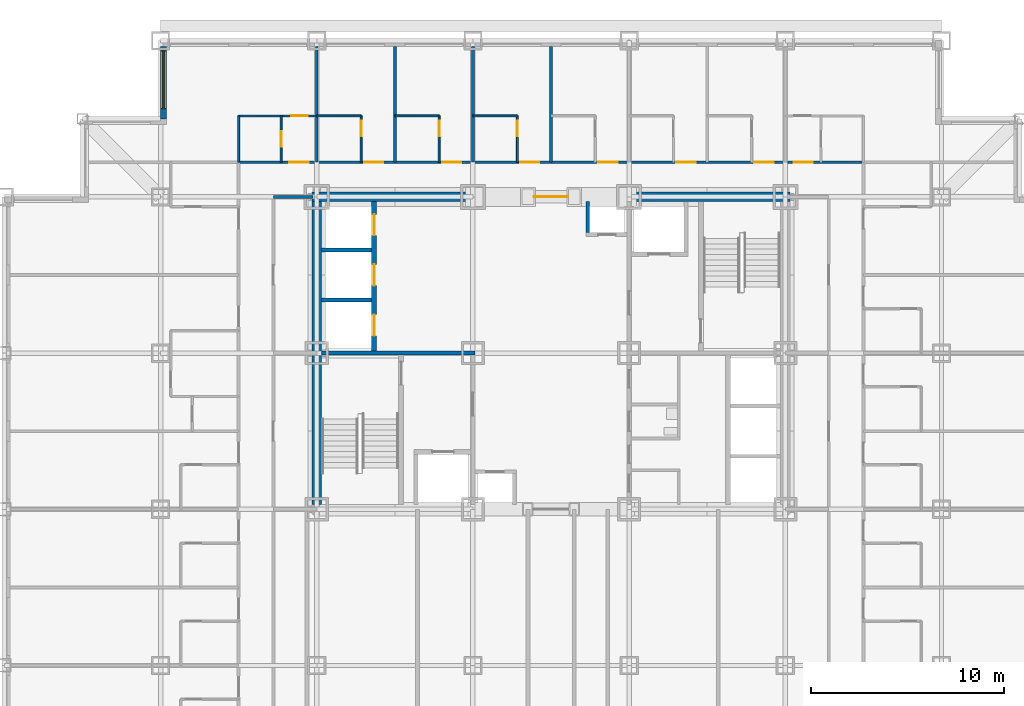
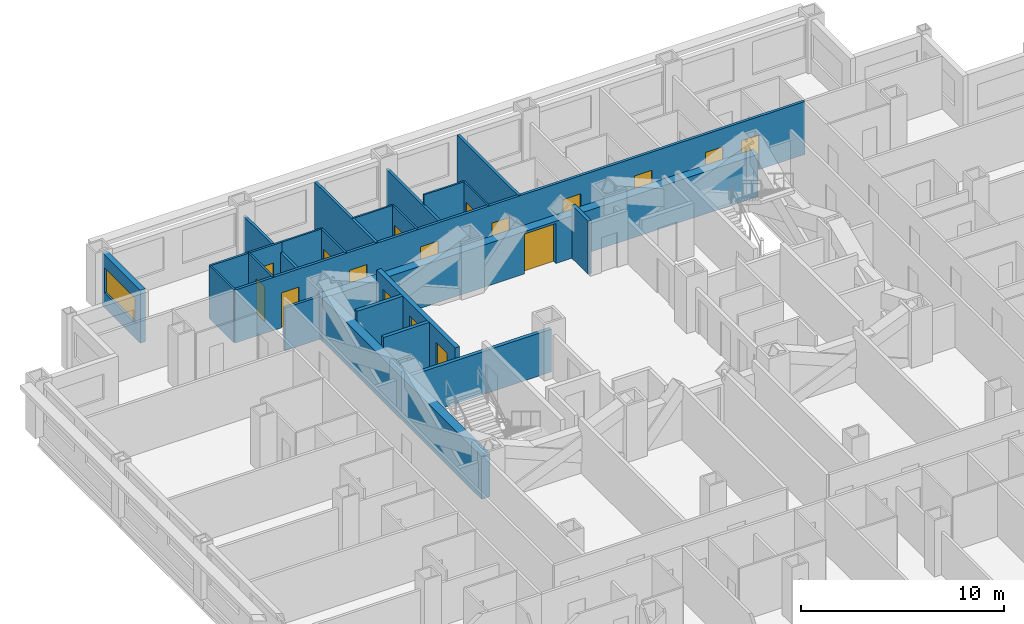
# One storey, part 8 of 12: 23 walls, 17 doors, 1 window, 18 openings.
"""IFC4 building model written with IfcOpenShell, lengths in metres."""

from ifc_helpers import new_model, si_unit, direction, frame, frame_2d, origin, place, context, subcontext, project, spatial, rectangle, extrude, material, layer, layer_set, type_object, element, fill, save


model = new_model("IFC4")

# Units and contexts
model_context = context("Model", 3, precision=1e-05, world=origin(), true_north=direction((0.0, 1.0)))
body_context = subcontext(model_context, "Body", "Model", "MODEL_VIEW")
ifc_project = project(units=[si_unit("LENGTHUNIT", "METRE"), si_unit("AREAUNIT", "SQUARE_METRE"), si_unit("VOLUMEUNIT", "CUBIC_METRE"), si_unit("PLANEANGLEUNIT", "RADIAN"), si_unit("MASSUNIT", "GRAM", prefix="KILO")], contexts=[model_context])

# Site, building, storey
site_placement = place(None, origin())
site = spatial("IfcSite", under=ifc_project, at=site_placement, CompositionType="ELEMENT")
building_placement = place(site_placement, origin())
building = spatial("IfcBuilding", under=site, at=building_placement, Name="Kopane Lantern Tower", CompositionType="ELEMENT")
storey_placement = place(building_placement, frame((0.0, 0.0, 53.39990234375)))
storey = spatial("IfcBuildingStorey", under=building, at=storey_placement, Name="L12", CompositionType="ELEMENT", Elevation=53.39990234375)

# Wall, opening, door
ifc_material_1 = material(Name="Gypsum board on steel studs", Category="steel")
ifc_layer_1 = layer(ifc_material_1, 0.1201171875)
ifc_layer_set_1 = layer_set([ifc_layer_1], Name="APARTMENT INTERNAL WALL 120")
wall_type_1 = type_object("IfcWallType", Name="APARTMENT INTERNAL WALL 120", PredefinedType="PARTITIONING", material=ifc_layer_set_1)
wall_1_placement = place(storey_placement, frame((12.14990234375, 44.699951171875, 0.0), z_axis=(0.0, 0.0, 1.0), x_axis=(1.0, 0.0, 0.0)))
wall_1 = element("IfcWall", 1, at=wall_1_placement, inside=storey, type_object=wall_type_1, Name="Apartment Internal Wall 120 L12", PredefinedType="PARTITIONING", context=body_context, shape_type="SweptSolid", body=[
    extrude(rectangle(XDim=4.050048828125, YDim=0.1201171875, at=frame_2d((2.02490234375, 0.0))), origin(), (0.0, 0.0, 1.0), 3.190185546875),
])
opening_1_placement = place(wall_1_placement, frame((2.72509765625, 0.0, 0.0)))
opening_1 = element("IfcOpeningElement", 2, at=opening_1_placement, cuts=wall_1, Name="Opening L12-075", PredefinedType="OPENING", context=body_context, shape_type="SweptSolid", body=[
    extrude(rectangle(XDim=0.85009765625, YDim=2.10009765625, at=frame_2d((0.425048828125, 1.050048828125))), frame((0.0, 0.070068359375, 0.0), z_axis=(0.0, -1.0, 0.0), x_axis=(1.0, 0.0, 0.0)), (0.0, 0.0, 1.0), 0.14013671875),
])
ifc_material_2 = material(Name="Timber door set", Category="wood")
door_type_1 = type_object("IfcDoorType", Name="DOOR D4 850x2100", OperationType="SINGLE_SWING_LEFT", PredefinedType="DOOR", material=ifc_material_2)
door_1_placement = place(opening_1_placement, origin())
door_1 = element("IfcDoor", 3, at=door_1_placement, inside=storey, type_object=door_type_1, Name="Door L12-075", OperationType="SINGLE_SWING_LEFT", OverallHeight=2.10009765625, OverallWidth=0.85009765625, PredefinedType="DOOR", context=body_context, shape_type="SweptSolid", body=[
    extrude(rectangle(XDim=0.85009765625, YDim=2.10009765625, at=frame_2d((0.425048828125, 1.050048828125))), frame((0.0, 0.02490234375, 0.0), z_axis=(0.0, -1.0, 0.0), x_axis=(1.0, 0.0, 0.0)), (0.0, 0.0, 1.0), 0.050048828125),
])
fill(opening_1, door_1)

# Wall
ifc_material_3 = material(Name="Moisture-resistant board on steel studs", Category="steel")
ifc_layer_2 = layer(ifc_material_3, 0.10009765625)
ifc_layer_set_2 = layer_set([ifc_layer_2], Name="BATHROOM WALL 100")
wall_type_2 = type_object("IfcWallType", Name="BATHROOM WALL 100", PredefinedType="PARTITIONING", material=ifc_layer_set_2)
wall_2_placement = place(storey_placement, frame((16.199951171875, 44.699951171875, 0.0), z_axis=(0.0, 0.0, 1.0), x_axis=(1.0, 0.0, 0.0)))
element("IfcWall", 4, at=wall_2_placement, inside=storey, type_object=wall_type_2, Name="Bathroom Wall 100 L12", PredefinedType="PARTITIONING", context=body_context, shape_type="SweptSolid", body=[
    extrude(rectangle(XDim=2.300048828125, YDim=0.10009765625, at=frame_2d((1.14990234375, 0.0))), origin(), (0.0, 0.0, 1.0), 3.190185546875),
])

# Wall, opening, door
wall_3_placement = place(storey_placement, frame((18.5, 42.300048828125, 0.0), z_axis=(0.0, 0.0, 1.0), x_axis=(0.0, 1.0, 0.0)))
wall_3 = element("IfcWall", 5, at=wall_3_placement, inside=storey, type_object=wall_type_2, Name="Bathroom Wall 100 L12", PredefinedType="PARTITIONING", context=body_context, shape_type="SweptSolid", body=[
    extrude(rectangle(XDim=2.39990234375, YDim=0.10009765625, at=frame_2d((1.199951171875, 0.0))), origin(), (0.0, 0.0, 1.0), 3.190185546875),
])
opening_2_placement = place(wall_3_placement, frame((1.35009765625, 0.0, 0.0)))
opening_2 = element("IfcOpeningElement", 6, at=opening_2_placement, cuts=wall_3, Name="Opening L12-023", PredefinedType="OPENING", context=body_context, shape_type="SweptSolid", body=[
    extrude(rectangle(XDim=0.800048828125, YDim=2.10009765625, at=frame_2d((0.39990234375, 1.050048828125))), frame((0.0, 0.06005859375, 0.0), z_axis=(0.0, -1.0, 0.0), x_axis=(1.0, 0.0, 0.0)), (0.0, 0.0, 1.0), 0.1201171875),
])
ifc_material_4 = material(Name="Timber door set", Category="wood")
door_type_2 = type_object("IfcDoorType", Name="DOOR D2 800x2100", OperationType="SINGLE_SWING_LEFT", PredefinedType="DOOR", material=ifc_material_4)
door_2_placement = place(opening_2_placement, origin())
door_2 = element("IfcDoor", 7, at=door_2_placement, inside=storey, type_object=door_type_2, Name="Door L12-023", OperationType="SINGLE_SWING_RIGHT", OverallHeight=2.10009765625, OverallWidth=0.800048828125, PredefinedType="DOOR", context=body_context, shape_type="SweptSolid", body=[
    extrude(rectangle(XDim=0.800048828125, YDim=2.10009765625, at=frame_2d((0.39990234375, 1.050048828125))), frame((0.0, 0.02490234375, 0.0), z_axis=(0.0, -1.0, 0.0), x_axis=(1.0, 0.0, 0.0)), (0.0, 0.0, 1.0), 0.050048828125),
])
fill(opening_2, door_2)

# Wall
wall_4_placement = place(storey_placement, frame((20.25, 44.699951171875, 0.0), z_axis=(0.0, 0.0, 1.0), x_axis=(1.0, 0.0, 0.0)))
element("IfcWall", 8, at=wall_4_placement, inside=storey, type_object=wall_type_2, Name="Bathroom Wall 100 L12", PredefinedType="PARTITIONING", context=body_context, shape_type="SweptSolid", body=[
    extrude(rectangle(XDim=2.300048828125, YDim=0.10009765625, at=frame_2d((1.14990234375, 0.0))), origin(), (0.0, 0.0, 1.0), 3.190185546875),
])

# Wall, opening, door
wall_5_placement = place(storey_placement, frame((22.550048828125, 42.300048828125, 0.0), z_axis=(0.0, 0.0, 1.0), x_axis=(0.0, 1.0, 0.0)))
wall_5 = element("IfcWall", 9, at=wall_5_placement, inside=storey, type_object=wall_type_2, Name="Bathroom Wall 100 L12", PredefinedType="PARTITIONING", context=body_context, shape_type="SweptSolid", body=[
    extrude(rectangle(XDim=2.39990234375, YDim=0.10009765625, at=frame_2d((1.199951171875, 0.0))), origin(), (0.0, 0.0, 1.0), 3.190185546875),
])
opening_3_placement = place(wall_5_placement, frame((1.35009765625, 0.0, 0.0)))
opening_3 = element("IfcOpeningElement", 10, at=opening_3_placement, cuts=wall_5, Name="Opening L12-025", PredefinedType="OPENING", context=body_context, shape_type="SweptSolid", body=[
    extrude(rectangle(XDim=0.800048828125, YDim=2.10009765625, at=frame_2d((0.39990234375, 1.050048828125))), frame((0.0, 0.06005859375, 0.0), z_axis=(0.0, -1.0, 0.0), x_axis=(1.0, 0.0, 0.0)), (0.0, 0.0, 1.0), 0.1201171875),
])
door_3_placement = place(opening_3_placement, origin())
door_3 = element("IfcDoor", 11, at=door_3_placement, inside=storey, type_object=door_type_2, Name="Door L12-025", OperationType="SINGLE_SWING_RIGHT", OverallHeight=2.10009765625, OverallWidth=0.800048828125, PredefinedType="DOOR", context=body_context, shape_type="SweptSolid", body=[
    extrude(rectangle(XDim=0.800048828125, YDim=2.10009765625, at=frame_2d((0.39990234375, 1.050048828125))), frame((0.0, 0.02490234375, 0.0), z_axis=(0.0, -1.0, 0.0), x_axis=(1.0, 0.0, 0.0)), (0.0, 0.0, 1.0), 0.050048828125),
])
fill(opening_3, door_3)

# Wall
wall_6_placement = place(storey_placement, frame((24.300048828125, 44.699951171875, 0.0), z_axis=(0.0, 0.0, 1.0), x_axis=(1.0, 0.0, 0.0)))
element("IfcWall", 12, at=wall_6_placement, inside=storey, type_object=wall_type_2, Name="Bathroom Wall 100 L12", PredefinedType="PARTITIONING", context=body_context, shape_type="SweptSolid", body=[
    extrude(rectangle(XDim=2.300048828125, YDim=0.10009765625, at=frame_2d((1.14990234375, 0.0))), origin(), (0.0, 0.0, 1.0), 3.190185546875),
])

# Wall, opening, door
wall_7_placement = place(storey_placement, frame((26.60009765625, 42.300048828125, 0.0), z_axis=(0.0, 0.0, 1.0), x_axis=(0.0, 1.0, 0.0)))
wall_7 = element("IfcWall", 13, at=wall_7_placement, inside=storey, type_object=wall_type_2, Name="Bathroom Wall 100 L12", PredefinedType="PARTITIONING", context=body_context, shape_type="SweptSolid", body=[
    extrude(rectangle(XDim=2.39990234375, YDim=0.10009765625, at=frame_2d((1.199951171875, 0.0))), origin(), (0.0, 0.0, 1.0), 3.190185546875),
])
opening_4_placement = place(wall_7_placement, frame((1.35009765625, 0.0, 0.0)))
opening_4 = element("IfcOpeningElement", 14, at=opening_4_placement, cuts=wall_7, Name="Opening L12-027", PredefinedType="OPENING", context=body_context, shape_type="SweptSolid", body=[
    extrude(rectangle(XDim=0.800048828125, YDim=2.10009765625, at=frame_2d((0.39990234375, 1.050048828125))), frame((0.0, 0.06005859375, 0.0), z_axis=(0.0, -1.0, 0.0), x_axis=(1.0, 0.0, 0.0)), (0.0, 0.0, 1.0), 0.1201171875),
])
door_4_placement = place(opening_4_placement, origin())
door_4 = element("IfcDoor", 15, at=door_4_placement, inside=storey, type_object=door_type_2, Name="Door L12-027", OperationType="SINGLE_SWING_RIGHT", OverallHeight=2.10009765625, OverallWidth=0.800048828125, PredefinedType="DOOR", context=body_context, shape_type="SweptSolid", body=[
    extrude(rectangle(XDim=0.800048828125, YDim=2.10009765625, at=frame_2d((0.39990234375, 1.050048828125))), frame((0.0, 0.02490234375, 0.0), z_axis=(0.0, -1.0, 0.0), x_axis=(1.0, 0.0, 0.0)), (0.0, 0.0, 1.0), 0.050048828125),
])
fill(opening_4, door_4)

wall_8_placement = place(storey_placement, frame((14.35009765625, 42.300048828125, 0.0), z_axis=(0.0, 0.0, 1.0), x_axis=(0.0, 1.0, 0.0)))
wall_8 = element("IfcWall", 16, at=wall_8_placement, inside=storey, type_object=wall_type_2, Name="Bathroom Wall 100 L12", PredefinedType="PARTITIONING", context=body_context, shape_type="SweptSolid", body=[
    extrude(rectangle(XDim=2.39990234375, YDim=0.10009765625, at=frame_2d((1.199951171875, 0.0))), origin(), (0.0, 0.0, 1.0), 3.190185546875),
])
opening_5_placement = place(wall_8_placement, frame((0.800048828125, 0.0, 0.0)))
opening_5 = element("IfcOpeningElement", 17, at=opening_5_placement, cuts=wall_8, Name="Opening L12-073", PredefinedType="OPENING", context=body_context, shape_type="SweptSolid", body=[
    extrude(rectangle(XDim=0.800048828125, YDim=2.10009765625, at=frame_2d((0.39990234375, 1.050048828125))), frame((0.0, 0.06005859375, 0.0), z_axis=(0.0, -1.0, 0.0), x_axis=(1.0, 0.0, 0.0)), (0.0, 0.0, 1.0), 0.1201171875),
])
door_5_placement = place(opening_5_placement, origin())
door_5 = element("IfcDoor", 18, at=door_5_placement, inside=storey, type_object=door_type_2, Name="Door L12-073", OperationType="SINGLE_SWING_LEFT", OverallHeight=2.10009765625, OverallWidth=0.800048828125, PredefinedType="DOOR", context=body_context, shape_type="SweptSolid", body=[
    extrude(rectangle(XDim=0.800048828125, YDim=2.10009765625, at=frame_2d((0.39990234375, 1.050048828125))), frame((0.0, 0.02490234375, 0.0), z_axis=(0.0, -1.0, 0.0), x_axis=(1.0, 0.0, 0.0)), (0.0, 0.0, 1.0), 0.050048828125),
])
fill(opening_5, door_5)

# Wall
wall_9_placement = place(storey_placement, frame((12.14990234375, 42.300048828125, 0.0), z_axis=(0.0, 0.0, 1.0), x_axis=(0.0, 1.0, 0.0)))
element("IfcWall", 19, at=wall_9_placement, inside=storey, type_object=wall_type_2, Name="Bathroom Wall 100 L12", PredefinedType="PARTITIONING", context=body_context, shape_type="SweptSolid", body=[
    extrude(rectangle(XDim=2.39990234375, YDim=0.10009765625, at=frame_2d((1.199951171875, 0.0))), origin(), (0.0, 0.0, 1.0), 3.190185546875),
])

# Wall, opening, door
ifc_material_5 = material(Name="Gypsum shaft wall EI 120", Category="gypsum")
ifc_layer_3 = layer(ifc_material_5, 0.5)
ifc_layer_set_3 = layer_set([ifc_layer_3], Name="CORE PERIMETER WALL 500 EI 120")
wall_type_3 = type_object("IfcWallType", Name="CORE PERIMETER WALL 500 EI 120", PredefinedType="SOLIDWALL", material=ifc_layer_set_3)
wall_10_placement = place(storey_placement, frame((15.949951171875, 40.5, 0.0), z_axis=(0.0, 0.0, 1.0), x_axis=(1.0, 0.0, 0.0)))
wall_10 = element("IfcWall", 20, at=wall_10_placement, inside=storey, type_object=wall_type_3, Name="Core shaft wall L12 PN", PredefinedType="SOLIDWALL", context=body_context, shape_type="SweptSolid", body=[
    extrude(rectangle(XDim=24.800048828125, YDim=0.5, at=frame_2d((12.39990234375, 0.0))), origin(), (0.0, 0.0, 1.0), 2.5400390625),
])
opening_6_placement = place(wall_10_placement, frame((11.5, 0.0, 0.0)))
opening_6 = element("IfcOpeningElement", 21, at=opening_6_placement, cuts=wall_10, Name="Opening 12.CE-N", PredefinedType="OPENING", context=body_context, shape_type="SweptSolid", body=[
    extrude(rectangle(XDim=1.800048828125, YDim=2.39990234375, at=frame_2d((0.89990234375, 1.199951171875))), frame((0.0, 0.260009765625, 0.0), z_axis=(0.0, -1.0, 0.0), x_axis=(1.0, 0.0, 0.0)), (0.0, 0.0, 1.0), 0.52001953125),
])
ifc_material_6 = material(Name="Steel door set", Category="steel")
door_type_3 = type_object("IfcDoorType", Name="CORE ENTRY DOOR 1800x2400 FD60S", OperationType="DOUBLE_DOOR_SINGLE_SWING", PredefinedType="DOOR", material=ifc_material_6)
door_6_placement = place(opening_6_placement, origin())
door_6 = element("IfcDoor", 22, at=door_6_placement, inside=storey, type_object=door_type_3, Name="Core entry door L12 north", OperationType="DOUBLE_DOOR_SINGLE_SWING", OverallHeight=2.39990234375, OverallWidth=1.800048828125, PredefinedType="DOOR", context=body_context, shape_type="SweptSolid", body=[
    extrude(rectangle(XDim=1.800048828125, YDim=2.39990234375, at=frame_2d((0.89990234375, 1.199951171875))), frame((0.0, 0.02490234375, 0.0), z_axis=(0.0, -1.0, 0.0), x_axis=(1.0, 0.0, 0.0)), (0.0, 0.0, 1.0), 0.050048828125),
])
fill(opening_6, door_6)

# Wall
wall_11_placement = place(storey_placement, frame((16.199951171875, 24.550048828125, 0.0), z_axis=(0.0, 0.0, 1.0), x_axis=(0.0, 1.0, 0.0)))
element("IfcWall", 23, at=wall_11_placement, inside=storey, type_object=wall_type_3, Name="Core shaft wall L12 PW", PredefinedType="SOLIDWALL", context=body_context, shape_type="SweptSolid", body=[
    extrude(rectangle(XDim=15.699951171875, YDim=0.5, at=frame_2d((7.85009765625, 0.0))), origin(), (0.0, 0.0, 1.0), 2.577880859375),
])

# Wall, openings, doors
ifc_material_7 = material(Name="Gypsum shaft wall EI 120", Category="gypsum")
ifc_layer_4 = layer(ifc_material_7, 0.25)
ifc_layer_set_4 = layer_set([ifc_layer_4], Name="CORE SHAFT WALL 250 EI 120")
wall_type_4 = type_object("IfcWallType", Name="CORE SHAFT WALL 250 EI 120", PredefinedType="SOLIDWALL", material=ifc_layer_set_4)
wall_12_placement = place(storey_placement, frame((19.175048828125, 32.5, 0.0), z_axis=(0.0, 0.0, 1.0), x_axis=(0.0, 1.0, 0.0)))
wall_12 = element("IfcWall", 24, at=wall_12_placement, inside=storey, type_object=wall_type_4, Name="Core shaft wall L12 XLH", PredefinedType="SOLIDWALL", context=body_context, shape_type="SweptSolid", body=[
    extrude(rectangle(XDim=7.75, YDim=0.25, at=frame_2d((3.875, 0.0))), origin(), (0.0, 0.0, 1.0), 3.190185546875),
])
opening_7_placement = place(wall_12_placement, frame((0.800048828125, 0.0, 0.0)))
opening_7 = element("IfcOpeningElement", 25, at=opening_7_placement, cuts=wall_12, Name="Opening 12.LD-LH1", PredefinedType="OPENING", context=body_context, shape_type="SweptSolid", body=[
    extrude(rectangle(XDim=1.10009765625, YDim=2.39990234375, at=frame_2d((0.550048828125, 1.199951171875))), frame((0.0, 0.135009765625, 0.0), z_axis=(0.0, -1.0, 0.0), x_axis=(1.0, 0.0, 0.0)), (0.0, 0.0, 1.0), 0.27001953125),
])
opening_8_placement = place(wall_12_placement, frame((3.39990234375, 0.0, 0.0)))
opening_8 = element("IfcOpeningElement", 26, at=opening_8_placement, cuts=wall_12, Name="Opening 12.LD-LH2", PredefinedType="OPENING", context=body_context, shape_type="SweptSolid", body=[
    extrude(rectangle(XDim=1.10009765625, YDim=2.39990234375, at=frame_2d((0.550048828125, 1.199951171875))), frame((0.0, 0.135009765625, 0.0), z_axis=(0.0, -1.0, 0.0), x_axis=(1.0, 0.0, 0.0)), (0.0, 0.0, 1.0), 0.27001953125),
])
opening_9_placement = place(wall_12_placement, frame((6.0, 0.0, 0.0)))
opening_9 = element("IfcOpeningElement", 27, at=opening_9_placement, cuts=wall_12, Name="Opening 12.LD-LH3", PredefinedType="OPENING", context=body_context, shape_type="SweptSolid", body=[
    extrude(rectangle(XDim=1.10009765625, YDim=2.39990234375, at=frame_2d((0.550048828125, 1.199951171875))), frame((0.0, 0.135009765625, 0.0), z_axis=(0.0, -1.0, 0.0), x_axis=(1.0, 0.0, 0.0)), (0.0, 0.0, 1.0), 0.27001953125),
])
ifc_material_8 = material(Name="Steel door set", Category="steel")
door_type_4 = type_object("IfcDoorType", Name="LIFT LANDING DOOR 1100x2400 FD60", OperationType="DOUBLE_DOOR_SLIDING", PredefinedType="DOOR", material=ifc_material_8)
door_7_placement = place(opening_7_placement, origin())
door_7 = element("IfcDoor", 28, at=door_7_placement, inside=storey, type_object=door_type_4, Name="Landing door LH1 L12", OperationType="DOUBLE_DOOR_SLIDING", OverallHeight=2.39990234375, OverallWidth=1.10009765625, PredefinedType="DOOR", context=body_context, shape_type="SweptSolid", body=[
    extrude(rectangle(XDim=1.10009765625, YDim=2.39990234375, at=frame_2d((0.550048828125, 1.199951171875))), frame((0.0, 0.02490234375, 0.0), z_axis=(0.0, -1.0, 0.0), x_axis=(1.0, 0.0, 0.0)), (0.0, 0.0, 1.0), 0.050048828125),
])
fill(opening_7, door_7)
door_8_placement = place(opening_8_placement, origin())
door_8 = element("IfcDoor", 29, at=door_8_placement, inside=storey, type_object=door_type_4, Name="Landing door LH2 L12", OperationType="DOUBLE_DOOR_SLIDING", OverallHeight=2.39990234375, OverallWidth=1.10009765625, PredefinedType="DOOR", context=body_context, shape_type="SweptSolid", body=[
    extrude(rectangle(XDim=1.10009765625, YDim=2.39990234375, at=frame_2d((0.550048828125, 1.199951171875))), frame((0.0, 0.02490234375, 0.0), z_axis=(0.0, -1.0, 0.0), x_axis=(1.0, 0.0, 0.0)), (0.0, 0.0, 1.0), 0.050048828125),
])
fill(opening_8, door_8)
door_9_placement = place(opening_9_placement, origin())
door_9 = element("IfcDoor", 30, at=door_9_placement, inside=storey, type_object=door_type_4, Name="Landing door LH3 L12", OperationType="DOUBLE_DOOR_SLIDING", OverallHeight=2.39990234375, OverallWidth=1.10009765625, PredefinedType="DOOR", context=body_context, shape_type="SweptSolid", body=[
    extrude(rectangle(XDim=1.10009765625, YDim=2.39990234375, at=frame_2d((0.550048828125, 1.199951171875))), frame((0.0, 0.02490234375, 0.0), z_axis=(0.0, -1.0, 0.0), x_axis=(1.0, 0.0, 0.0)), (0.0, 0.0, 1.0), 0.050048828125),
])
fill(opening_9, door_9)

ifc_material_9 = material(Name="Gypsum board on steel studs", Category="steel")
ifc_layer_5 = layer(ifc_material_9, 0.14990234375)
ifc_layer_set_5 = layer_set([ifc_layer_5], Name="CORRIDOR WALL 150 EI 60")
wall_type_5 = type_object("IfcWallType", Name="CORRIDOR WALL 150 EI 60", PredefinedType="PARTITIONING", material=ifc_layer_set_5)
wall_13_placement = place(storey_placement, frame((12.14990234375, 42.300048828125, 0.0), z_axis=(0.0, 0.0, 1.0), x_axis=(1.0, 0.0, 0.0)))
wall_13 = element("IfcWall", 31, at=wall_13_placement, inside=storey, type_object=wall_type_5, Name="Corridor Wall 150 Ei 60 L12", PredefinedType="PARTITIONING", context=body_context, shape_type="SweptSolid", body=[
    extrude(rectangle(XDim=32.400146484375, YDim=0.14990234375, at=frame_2d((16.2001953125, 0.0))), origin(), (0.0, 0.0, 1.0), 3.190185546875),
])
opening_10_placement = place(wall_13_placement, frame((6.5, 0.0, 0.0)))
opening_10 = element("IfcOpeningElement", 32, at=opening_10_placement, cuts=wall_13, Name="Opening L12-024", PredefinedType="OPENING", context=body_context, shape_type="SweptSolid", body=[
    extrude(rectangle(XDim=1.0, YDim=2.10009765625, at=frame_2d((0.5, 1.050048828125))), frame((0.0, 0.0849609375, 0.0), z_axis=(0.0, -1.0, 0.0), x_axis=(1.0, 0.0, 0.0)), (0.0, 0.0, 1.0), 0.169921875),
])
opening_11_placement = place(wall_13_placement, frame((10.550048828125, 0.0, 0.0)))
opening_11 = element("IfcOpeningElement", 33, at=opening_11_placement, cuts=wall_13, Name="Opening L12-026", PredefinedType="OPENING", context=body_context, shape_type="SweptSolid", body=[
    extrude(rectangle(XDim=1.0, YDim=2.10009765625, at=frame_2d((0.5, 1.050048828125))), frame((0.0, 0.0849609375, 0.0), z_axis=(0.0, -1.0, 0.0), x_axis=(1.0, 0.0, 0.0)), (0.0, 0.0, 1.0), 0.169921875),
])
opening_12_placement = place(wall_13_placement, frame((14.60009765625, 0.0, 0.0)))
opening_12 = element("IfcOpeningElement", 34, at=opening_12_placement, cuts=wall_13, Name="Opening L12-028", PredefinedType="OPENING", context=body_context, shape_type="SweptSolid", body=[
    extrude(rectangle(XDim=1.0, YDim=2.10009765625, at=frame_2d((0.5, 1.050048828125))), frame((0.0, 0.0849609375, 0.0), z_axis=(0.0, -1.0, 0.0), x_axis=(1.0, 0.0, 0.0)), (0.0, 0.0, 1.0), 0.169921875),
])
opening_13_placement = place(wall_13_placement, frame((18.64990234375, 0.0, 0.0)))
opening_13 = element("IfcOpeningElement", 35, at=opening_13_placement, cuts=wall_13, Name="Opening L12-030", PredefinedType="OPENING", context=body_context, shape_type="SweptSolid", body=[
    extrude(rectangle(XDim=1.0, YDim=2.10009765625, at=frame_2d((0.5, 1.050048828125))), frame((0.0, 0.0849609375, 0.0), z_axis=(0.0, -1.0, 0.0), x_axis=(1.0, 0.0, 0.0)), (0.0, 0.0, 1.0), 0.169921875),
])
opening_14_placement = place(wall_13_placement, frame((22.699951171875, 0.0, 0.0)))
opening_14 = element("IfcOpeningElement", 36, at=opening_14_placement, cuts=wall_13, Name="Opening L12-032", PredefinedType="OPENING", context=body_context, shape_type="SweptSolid", body=[
    extrude(rectangle(XDim=1.0, YDim=2.10009765625, at=frame_2d((0.5, 1.050048828125))), frame((0.0, 0.0849609375, 0.0), z_axis=(0.0, -1.0, 0.0), x_axis=(1.0, 0.0, 0.0)), (0.0, 0.0, 1.0), 0.169921875),
])
opening_15_placement = place(wall_13_placement, frame((26.75, 0.0, 0.0)))
opening_15 = element("IfcOpeningElement", 37, at=opening_15_placement, cuts=wall_13, Name="Opening L12-034", PredefinedType="OPENING", context=body_context, shape_type="SweptSolid", body=[
    extrude(rectangle(XDim=1.0, YDim=2.10009765625, at=frame_2d((0.5, 1.050048828125))), frame((0.0, 0.0849609375, 0.0), z_axis=(0.0, -1.0, 0.0), x_axis=(1.0, 0.0, 0.0)), (0.0, 0.0, 1.0), 0.169921875),
])
opening_16_placement = place(wall_13_placement, frame((28.77490234375, 0.0, 0.0)))
opening_16 = element("IfcOpeningElement", 38, at=opening_16_placement, cuts=wall_13, Name="Opening L12-071", PredefinedType="OPENING", context=body_context, shape_type="SweptSolid", body=[
    extrude(rectangle(XDim=1.0, YDim=2.10009765625, at=frame_2d((0.5, 1.050048828125))), frame((0.0, 0.0849609375, 0.0), z_axis=(0.0, -1.0, 0.0), x_axis=(1.0, 0.0, 0.0)), (0.0, 0.0, 1.0), 0.169921875),
])
opening_17_placement = place(wall_13_placement, frame((2.625, 0.0, 0.0)))
opening_17 = element("IfcOpeningElement", 39, at=opening_17_placement, cuts=wall_13, Name="Opening L12-074", PredefinedType="OPENING", context=body_context, shape_type="SweptSolid", body=[
    extrude(rectangle(XDim=1.0, YDim=2.10009765625, at=frame_2d((0.5, 1.050048828125))), frame((0.0, 0.0849609375, 0.0), z_axis=(0.0, -1.0, 0.0), x_axis=(1.0, 0.0, 0.0)), (0.0, 0.0, 1.0), 0.169921875),
])
ifc_material_10 = material(Name="Steel door set", Category="steel")
door_type_5 = type_object("IfcDoorType", Name="DOOR D1 1000x2100 FD30S", OperationType="SINGLE_SWING_LEFT", PredefinedType="DOOR", material=ifc_material_10)
door_10_placement = place(opening_10_placement, origin())
door_10 = element("IfcDoor", 40, at=door_10_placement, inside=storey, type_object=door_type_5, Name="Door L12-024", OperationType="SINGLE_SWING_LEFT", OverallHeight=2.10009765625, OverallWidth=1.0, PredefinedType="DOOR", context=body_context, shape_type="SweptSolid", body=[
    extrude(rectangle(XDim=1.0, YDim=2.10009765625, at=frame_2d((0.5, 1.050048828125))), frame((0.0, 0.02490234375, 0.0), z_axis=(0.0, -1.0, 0.0), x_axis=(1.0, 0.0, 0.0)), (0.0, 0.0, 1.0), 0.050048828125),
])
fill(opening_10, door_10)
door_11_placement = place(opening_11_placement, origin())
door_11 = element("IfcDoor", 41, at=door_11_placement, inside=storey, type_object=door_type_5, Name="Door L12-026", OperationType="SINGLE_SWING_LEFT", OverallHeight=2.10009765625, OverallWidth=1.0, PredefinedType="DOOR", context=body_context, shape_type="SweptSolid", body=[
    extrude(rectangle(XDim=1.0, YDim=2.10009765625, at=frame_2d((0.5, 1.050048828125))), frame((0.0, 0.02490234375, 0.0), z_axis=(0.0, -1.0, 0.0), x_axis=(1.0, 0.0, 0.0)), (0.0, 0.0, 1.0), 0.050048828125),
])
fill(opening_11, door_11)
door_12_placement = place(opening_12_placement, origin())
door_12 = element("IfcDoor", 42, at=door_12_placement, inside=storey, type_object=door_type_5, Name="Door L12-028", OperationType="SINGLE_SWING_LEFT", OverallHeight=2.10009765625, OverallWidth=1.0, PredefinedType="DOOR", context=body_context, shape_type="SweptSolid", body=[
    extrude(rectangle(XDim=1.0, YDim=2.10009765625, at=frame_2d((0.5, 1.050048828125))), frame((0.0, 0.02490234375, 0.0), z_axis=(0.0, -1.0, 0.0), x_axis=(1.0, 0.0, 0.0)), (0.0, 0.0, 1.0), 0.050048828125),
])
fill(opening_12, door_12)
door_13_placement = place(opening_13_placement, origin())
door_13 = element("IfcDoor", 43, at=door_13_placement, inside=storey, type_object=door_type_5, Name="Door L12-030", OperationType="SINGLE_SWING_LEFT", OverallHeight=2.10009765625, OverallWidth=1.0, PredefinedType="DOOR", context=body_context, shape_type="SweptSolid", body=[
    extrude(rectangle(XDim=1.0, YDim=2.10009765625, at=frame_2d((0.5, 1.050048828125))), frame((0.0, 0.02490234375, 0.0), z_axis=(0.0, -1.0, 0.0), x_axis=(1.0, 0.0, 0.0)), (0.0, 0.0, 1.0), 0.050048828125),
])
fill(opening_13, door_13)
door_14_placement = place(opening_14_placement, origin())
door_14 = element("IfcDoor", 44, at=door_14_placement, inside=storey, type_object=door_type_5, Name="Door L12-032", OperationType="SINGLE_SWING_LEFT", OverallHeight=2.10009765625, OverallWidth=1.0, PredefinedType="DOOR", context=body_context, shape_type="SweptSolid", body=[
    extrude(rectangle(XDim=1.0, YDim=2.10009765625, at=frame_2d((0.5, 1.050048828125))), frame((0.0, 0.02490234375, 0.0), z_axis=(0.0, -1.0, 0.0), x_axis=(1.0, 0.0, 0.0)), (0.0, 0.0, 1.0), 0.050048828125),
])
fill(opening_14, door_14)
door_15_placement = place(opening_15_placement, origin())
door_15 = element("IfcDoor", 45, at=door_15_placement, inside=storey, type_object=door_type_5, Name="Door L12-034", OperationType="SINGLE_SWING_LEFT", OverallHeight=2.10009765625, OverallWidth=1.0, PredefinedType="DOOR", context=body_context, shape_type="SweptSolid", body=[
    extrude(rectangle(XDim=1.0, YDim=2.10009765625, at=frame_2d((0.5, 1.050048828125))), frame((0.0, 0.02490234375, 0.0), z_axis=(0.0, -1.0, 0.0), x_axis=(1.0, 0.0, 0.0)), (0.0, 0.0, 1.0), 0.050048828125),
])
fill(opening_15, door_15)
door_16_placement = place(opening_16_placement, origin())
door_16 = element("IfcDoor", 46, at=door_16_placement, inside=storey, type_object=door_type_5, Name="Door L12-071", OperationType="SINGLE_SWING_RIGHT", OverallHeight=2.10009765625, OverallWidth=1.0, PredefinedType="DOOR", context=body_context, shape_type="SweptSolid", body=[
    extrude(rectangle(XDim=1.0, YDim=2.10009765625, at=frame_2d((0.5, 1.050048828125))), frame((0.0, 0.02490234375, 0.0), z_axis=(0.0, -1.0, 0.0), x_axis=(1.0, 0.0, 0.0)), (0.0, 0.0, 1.0), 0.050048828125),
])
fill(opening_16, door_16)
door_17_placement = place(opening_17_placement, origin())
door_17 = element("IfcDoor", 47, at=door_17_placement, inside=storey, type_object=door_type_5, Name="Door L12-074", OperationType="SINGLE_SWING_LEFT", OverallHeight=2.10009765625, OverallWidth=1.0, PredefinedType="DOOR", context=body_context, shape_type="SweptSolid", body=[
    extrude(rectangle(XDim=1.0, YDim=2.10009765625, at=frame_2d((0.5, 1.050048828125))), frame((0.0, 0.02490234375, 0.0), z_axis=(0.0, -1.0, 0.0), x_axis=(1.0, 0.0, 0.0)), (0.0, 0.0, 1.0), 0.050048828125),
])
fill(opening_17, door_17)

# Walls
wall_14_placement = place(storey_placement, frame((16.0, 40.5, 0.0), z_axis=(0.0, 0.0, 1.0), x_axis=(-1.0, 0.0, 0.0)))
element("IfcWall", 48, at=wall_14_placement, inside=storey, type_object=wall_type_5, Name="Corridor Wall 150 Ei 60 L12", PredefinedType="PARTITIONING", context=body_context, shape_type="SweptSolid", body=[
    extrude(rectangle(XDim=2.050048828125, YDim=0.14990234375, at=frame_2d((1.02490234375, 0.0))), origin(), (0.0, 0.0, 1.0), 2.577880859375),
])
ifc_material_11 = material(Name="Gypsum board on steel studs", Category="steel")
ifc_layer_6 = layer(ifc_material_11, 0.14990234375)
ifc_layer_set_6 = layer_set([ifc_layer_6], Name="DEMISING WALL 150 EI 60")
wall_type_6 = type_object("IfcWallType", Name="DEMISING WALL 150 EI 60", PredefinedType="PARTITIONING", material=ifc_layer_set_6)
wall_15_placement = place(storey_placement, frame((20.25, 42.300048828125, 0.0), z_axis=(0.0, 0.0, 1.0), x_axis=(0.0, 1.0, 0.0)))
element("IfcWall", 49, at=wall_15_placement, inside=storey, type_object=wall_type_6, Name="Demising Wall 150 Ei 60 L12", PredefinedType="PARTITIONING", context=body_context, shape_type="SweptSolid", body=[
    extrude(rectangle(XDim=6.0, YDim=0.14990234375, at=frame_2d((3.0, 0.0))), origin(), (0.0, 0.0, 1.0), 3.190185546875),
])
wall_16_placement = place(storey_placement, frame((24.300048828125, 42.300048828125, 0.0), z_axis=(0.0, 0.0, 1.0), x_axis=(0.0, 1.0, 0.0)))
element("IfcWall", 50, at=wall_16_placement, inside=storey, type_object=wall_type_6, Name="Demising Wall 150 Ei 60 L12", PredefinedType="PARTITIONING", context=body_context, shape_type="SweptSolid", body=[
    extrude(rectangle(XDim=6.0, YDim=0.14990234375, at=frame_2d((3.0, 0.0))), origin(), (0.0, 0.0, 1.0), 2.577880859375),
])
wall_17_placement = place(storey_placement, frame((28.35009765625, 42.300048828125, 0.0), z_axis=(0.0, 0.0, 1.0), x_axis=(0.0, 1.0, 0.0)))
element("IfcWall", 51, at=wall_17_placement, inside=storey, type_object=wall_type_6, Name="Demising Wall 150 Ei 60 L12", PredefinedType="PARTITIONING", context=body_context, shape_type="SweptSolid", body=[
    extrude(rectangle(XDim=6.0, YDim=0.14990234375, at=frame_2d((3.0, 0.0))), origin(), (0.0, 0.0, 1.0), 3.190185546875),
])
wall_18_placement = place(storey_placement, frame((16.199951171875, 42.300048828125, 0.0), z_axis=(0.0, 0.0, 1.0), x_axis=(0.0, 1.0, 0.0)))
element("IfcWall", 52, at=wall_18_placement, inside=storey, type_object=wall_type_6, Name="Demising Wall 150 Ei 60 L12", PredefinedType="PARTITIONING", context=body_context, shape_type="SweptSolid", body=[
    extrude(rectangle(XDim=6.0, YDim=0.14990234375, at=frame_2d((3.0, 0.0))), origin(), (0.0, 0.0, 1.0), 2.577880859375),
])

# Wall, opening, window
ifc_material_12 = material(Name="Terracotta rainscreen on light steel framing", Category="masonry")
ifc_layer_7 = layer(ifc_material_12, 0.300048828125)
ifc_layer_set_7 = layer_set([ifc_layer_7], Name="EXTERNAL WALL EW1 300 TERRACOTTA")
wall_type_7 = type_object("IfcWallType", Name="EXTERNAL WALL EW1 300 TERRACOTTA", PredefinedType="SOLIDWALL", material=ifc_layer_set_7)
wall_19_placement = place(storey_placement, frame((8.25, 48.300048828125, 0.0), z_axis=(0.0, 0.0, 1.0), x_axis=(0.0, -1.0, 0.0)))
wall_19 = element("IfcWall", 53, at=wall_19_placement, inside=storey, type_object=wall_type_7, Name="External wall W L12", PredefinedType="SOLIDWALL", context=body_context, shape_type="SweptSolid", body=[
    extrude(rectangle(XDim=3.75, YDim=0.300048828125, at=frame_2d((1.875, 0.0))), origin(), (0.0, 0.0, 1.0), 3.190185546875),
])
opening_18_placement = place(wall_19_placement, frame((0.22509765625, 0.0, 0.89990234375)))
opening_18 = element("IfcOpeningElement", 54, at=opening_18_placement, cuts=wall_19, Name="Opening WR300150", PredefinedType="OPENING", context=body_context, shape_type="SweptSolid", body=[
    extrude(rectangle(XDim=3.0, YDim=1.5, at=frame_2d((1.5, 0.75))), frame((0.0, 0.159912109375, 0.0), z_axis=(0.0, -1.0, 0.0), x_axis=(1.0, 0.0, 0.0)), (0.0, 0.0, 1.0), 0.320068359375),
])
ifc_material_13 = material(Name="Aluminium and clear glass", Category="aluminium")
window_type = type_object("IfcWindowType", Name="RIBBON WINDOW WR300150 3000x1500", PartitioningType="SINGLE_PANEL", PredefinedType="WINDOW", material=ifc_material_13)
window_placement = place(opening_18_placement, origin())
window = element("IfcWindow", 55, at=window_placement, inside=storey, type_object=window_type, Name="Window W L12", OverallHeight=1.5, OverallWidth=3.0, PartitioningType="SINGLE_PANEL", PredefinedType="WINDOW", context=body_context, shape_type="SweptSolid", body=[
    extrude(rectangle(XDim=3.0, YDim=1.5, at=frame_2d((1.5, 0.75))), frame((0.0, 0.030029296875, 0.0), z_axis=(0.0, -1.0, 0.0), x_axis=(1.0, 0.0, 0.0)), (0.0, 0.0, 1.0), 0.06005859375),
])
fill(opening_18, window)

# Walls
ifc_material_14 = material(Name="Gypsum shaft wall EI 120", Category="gypsum")
ifc_layer_8 = layer(ifc_material_14, 0.199951171875)
ifc_layer_set_8 = layer_set([ifc_layer_8], Name="SHAFT WALL 200 EI 120")
wall_type_8 = type_object("IfcWallType", Name="SHAFT WALL 200 EI 120", PredefinedType="SOLIDWALL", material=ifc_layer_set_8)
wall_20_placement = place(storey_placement, frame((16.449951171875, 32.39990234375, 0.0), z_axis=(0.0, 0.0, 1.0), x_axis=(1.0, 0.0, 0.0)))
element("IfcWall", 56, at=wall_20_placement, inside=storey, type_object=wall_type_8, Name="Core shaft wall L12 Y324W", PredefinedType="SOLIDWALL", context=body_context, shape_type="SweptSolid", body=[
    extrude(rectangle(XDim=7.949951171875, YDim=0.199951171875, at=frame_2d((3.97509765625, 0.0))), origin(), (0.0, 0.0, 1.0), 2.577880859375),
])
for number, where, z_axis, x_axis, name in (
    (57, (16.449951171875, 35.14990234375, 0.0), (0.0, 0.0, 1.0), (1.0, 0.0, 0.0), "Core shaft wall L12 YLH12"),
    (58, (16.449951171875, 37.75, 0.0), (0.0, 0.0, 1.0), (1.0, 0.0, 0.0), "Core shaft wall L12 YLH23"),
):
    element("IfcWall", number, at=place(storey_placement, frame(where, z_axis=z_axis, x_axis=x_axis)), inside=storey, type_object=wall_type_8, Name=name, PredefinedType="SOLIDWALL", context=body_context, shape_type="SweptSolid", body=[
        extrude(rectangle(XDim=2.60009765625, YDim=0.199951171875, at=frame_2d((1.300048828125, 0.0))), origin(), (0.0, 0.0, 1.0), 3.190185546875),
    ])
wall_21_placement = place(storey_placement, frame((30.25, 38.64990234375, 0.0), z_axis=(0.0, 0.0, 1.0), x_axis=(0.0, 1.0, 0.0)))
element("IfcWall", 59, at=wall_21_placement, inside=storey, type_object=wall_type_8, Name="Core shaft wall L12 XRS2", PredefinedType="SOLIDWALL", context=body_context, shape_type="SweptSolid", body=[
    extrude(rectangle(XDim=1.60009765625, YDim=0.199951171875, at=frame_2d((0.800048828125, 0.0))), origin(), (0.0, 0.0, 1.0), 3.190185546875),
])

save(model, "model.ifc")
